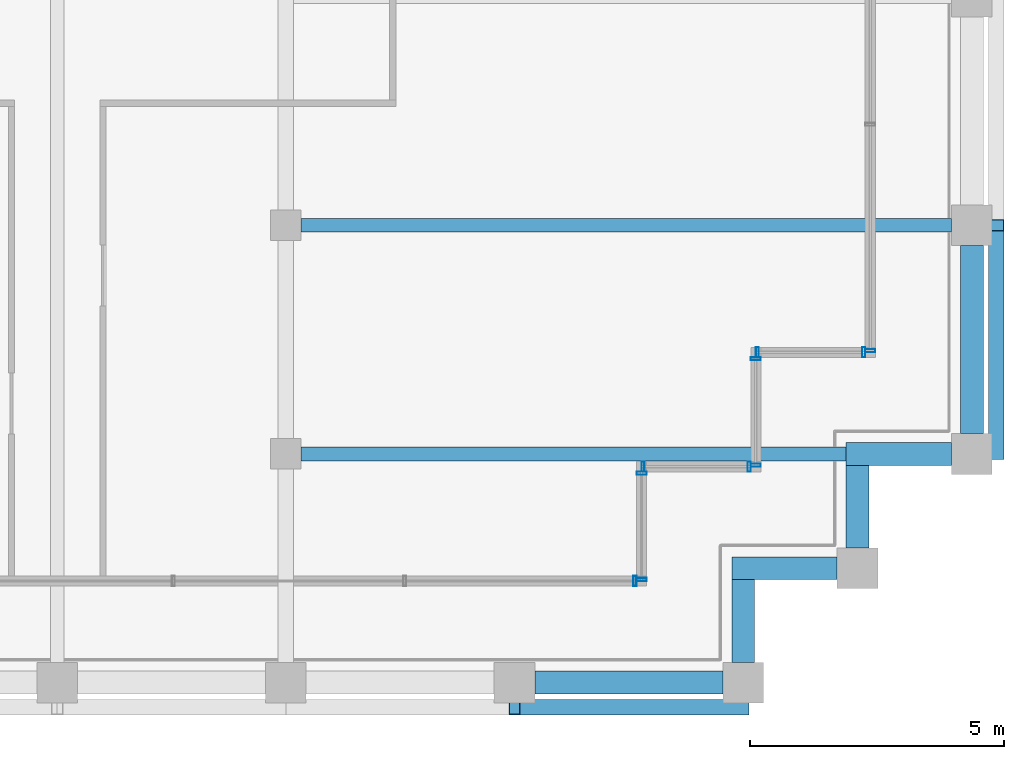
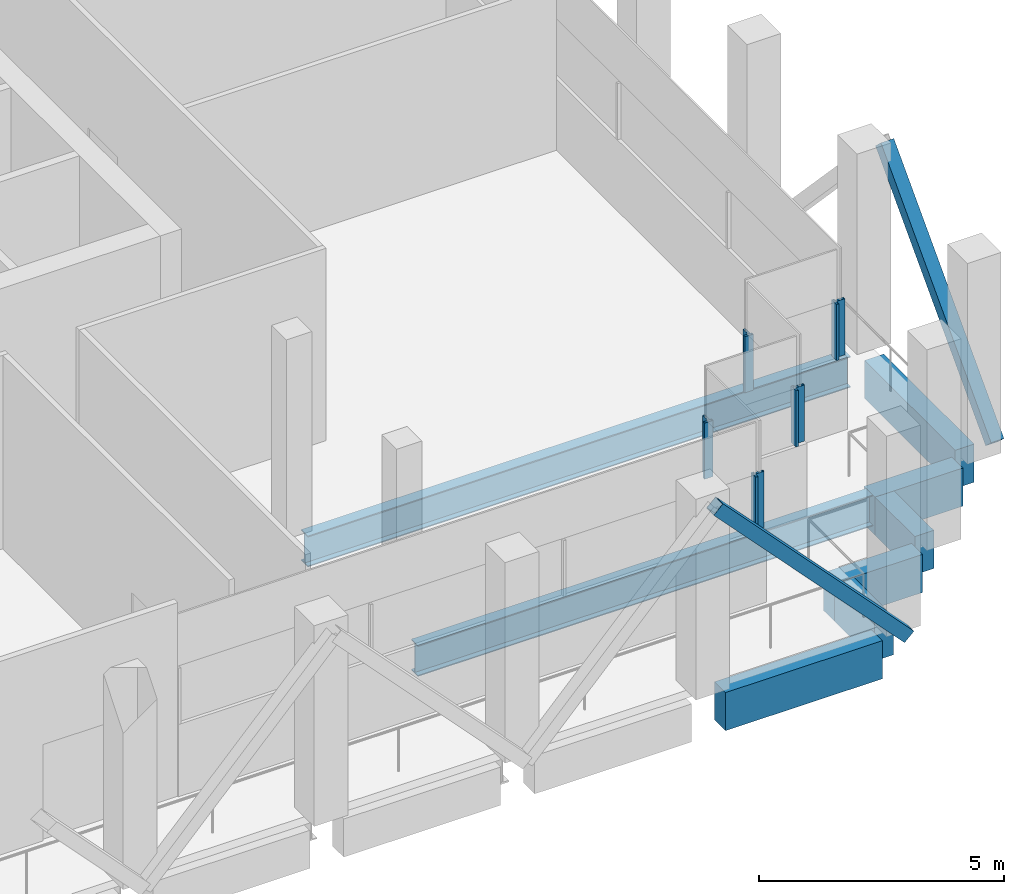
# One storey, part 8 of 21: 12 members, 8 beams, 6 elements without a shape of their own.
"""IFC4 building model written with IfcOpenShell, lengths in metres."""

from ifc_helpers import new_model, si_unit, direction, frame, origin, origin_2d, place, context, subcontext, project, spatial, rectangle, hollow_rectangle, i_section, extrude, material, material_profile, profile_set, type_object, element, aggregate, save


model = new_model("IFC4")

# Units and contexts
model_context = context("Model", 3, precision=1e-05, world=origin(), true_north=direction((0.0, 1.0)))
body_context = subcontext(model_context, "Body", "Model", "MODEL_VIEW")
ifc_project = project(units=[si_unit("LENGTHUNIT", "METRE"), si_unit("AREAUNIT", "SQUARE_METRE"), si_unit("VOLUMEUNIT", "CUBIC_METRE"), si_unit("PLANEANGLEUNIT", "RADIAN"), si_unit("MASSUNIT", "GRAM", prefix="KILO")], contexts=[model_context])

# Site, building, storey
site_placement = place(None, origin())
site = spatial("IfcSite", under=ifc_project, at=site_placement, CompositionType="ELEMENT")
building_placement = place(site_placement, origin())
building = spatial("IfcBuilding", under=site, at=building_placement, Name="Altepetl Exchange Towers", CompositionType="ELEMENT")
storey_placement = place(building_placement, frame((0.0, 0.0, 246.0)))
storey = spatial("IfcBuildingStorey", under=building, at=storey_placement, Name="L63 Refuge", CompositionType="ELEMENT", Elevation=246.0)

# Members
ifc_material_1 = material(Name="Steel S355", Category="steel")
ifc_material_profile_1 = material_profile(ifc_material_1, hollow_rectangle(XDim=0.304931640625, YDim=0.304931640625, WallThickness=0.01171875, at=origin_2d()), Name="HSS305X305X12.7")
ifc_profile_set_1 = profile_set([ifc_material_profile_1], Name="Steel S355")
member_type_1 = type_object("IfcMemberType", Name="Belt diagonal HSS305X305X12.7", PredefinedType="BRACE", material=ifc_profile_set_1)
for number, where, z_axis, x_axis, name in (
    (1, (63.0, 26.52001953125, 4.75), (0.687744647911, 0.0, -0.725952683906), (0.0, 1.0, 0.0), "brc:A:L63:007"),
    (2, (72.47998046875, 31.5, 0.0), (0.0, 0.687744647911, 0.725952683906), (-1.0, 0.0, 0.0), "brc:A:L63:008"),
):
    element("IfcMember", number, at=place(storey_placement, frame(where, z_axis=z_axis, x_axis=x_axis)), inside=storey, type_object=member_type_1, Name=name, PredefinedType="BRACE", context=body_context, shape_type="SweptSolid", body=[
        extrude(hollow_rectangle(XDim=0.304931640625, YDim=0.304931640625, WallThickness=0.01171875, at=origin_2d()), origin(), (0.0, 0.0, 1.0), 6.543212890625),
    ])

# Beams
ifc_material_profile_2 = material_profile(ifc_material_1, i_section(OverallWidth=0.26806640625, OverallDepth=0.77392578125, WebThickness=0.015380859375, FlangeThickness=0.025390625, at=origin_2d()), Name="W30X132")
ifc_profile_set_2 = profile_set([ifc_material_profile_2], Name="Steel S355")
beam_type_1 = type_object("IfcBeamType", Name="Floor beam W30X132", PredefinedType="BEAM", material=ifc_profile_set_2)
beam_1_placement = place(storey_placement, frame((58.800048828125, 31.5, -0.5869140625), z_axis=(1.0, 0.0, 0.0), x_axis=(0.0, 1.0, 0.0)))
element("IfcBeam", 3, at=beam_1_placement, inside=storey, type_object=beam_type_1, Name="bm:A:L63:006", PredefinedType="BEAM", context=body_context, shape_type="SweptSolid", body=[
    extrude(i_section(OverallWidth=0.26806640625, OverallDepth=0.77392578125, WebThickness=0.015380859375, FlangeThickness=0.025390625, at=origin_2d()), origin(), (0.0, 0.0, 1.0), 10.724853515625),
])
beam_2_placement = place(storey_placement, frame((58.800048828125, 36.0, -0.5869140625), z_axis=(1.0, 0.0, 0.0), x_axis=(0.0, 1.0, 0.0)))
element("IfcBeam", 4, at=beam_2_placement, inside=storey, type_object=beam_type_1, Name="bm:A:L63:007", PredefinedType="BEAM", context=body_context, shape_type="SweptSolid", body=[
    extrude(i_section(OverallWidth=0.26806640625, OverallDepth=0.77392578125, WebThickness=0.015380859375, FlangeThickness=0.025390625, at=origin_2d()), origin(), (0.0, 0.0, 1.0), 12.800048828125),
])

# Curtain wall, member
ifc_material_2 = material(Name="Aluminium 6063-T6 glazing", Category="aluminium")
curtain_wall_type = type_object("IfcCurtainWallType", Name="Refuge slit glazing system", PredefinedType="NOTDEFINED", material=ifc_material_2)
curtain_wall_1_placement = place(storey_placement, origin())
curtain_wall_1 = element("IfcCurtainWall", 5, at=curtain_wall_1_placement, inside=storey, type_object=curtain_wall_type, Name="CW3 run", PredefinedType="NOTDEFINED")
ifc_material_3 = material(Name="Aluminium 6063-T6", Category="aluminium")
ifc_material_profile_3 = material_profile(ifc_material_3, hollow_rectangle(XDim=0.06005859375, YDim=0.199951171875, WallThickness=0.0029296875, at=origin_2d()), Name="Mullion 60x200 aluminium")
ifc_profile_set_3 = profile_set([ifc_material_profile_3], Name="Aluminium 6063-T6")
member_type_2 = type_object("IfcMemberType", Name="Mullion 60x200 aluminium", PredefinedType="MULLION", material=ifc_profile_set_3)
member_1_placement = place(storey_placement, frame((65.3701171875, 29.0, 1.800048828125)))
member_1 = element("IfcMember", 6, at=member_1_placement, type_object=member_type_2, Name="MU2 mullion", PredefinedType="MULLION", context=body_context, shape_type="SweptSolid", body=[
    extrude(hollow_rectangle(XDim=0.06005859375, YDim=0.199951171875, WallThickness=0.0029296875, at=origin_2d()), origin(), (0.0, 0.0, 1.0), 1.39990234375),
])
aggregate(curtain_wall_1, [member_1])

# Curtain wall, members
curtain_wall_2_placement = place(storey_placement, origin())
curtain_wall_2 = element("IfcCurtainWall", 7, at=curtain_wall_2_placement, inside=storey, type_object=curtain_wall_type, Name="CW3 run", PredefinedType="NOTDEFINED")
member_2_placement = place(storey_placement, frame((65.5, 29.030029296875, 1.800048828125), z_axis=(0.0, 0.0, 1.0), x_axis=(0.0, 1.0, 0.0)))
member_2 = element("IfcMember", 8, at=member_2_placement, type_object=member_type_2, Name="MU2 mullion", PredefinedType="MULLION", context=body_context, shape_type="SweptSolid", body=[
    extrude(hollow_rectangle(XDim=0.06005859375, YDim=0.199951171875, WallThickness=0.0029296875, at=origin_2d()), origin(), (0.0, 0.0, 1.0), 1.39990234375),
])
member_3_placement = place(storey_placement, frame((65.5, 31.1201171875, 1.800048828125), z_axis=(0.0, 0.0, 1.0), x_axis=(0.0, 1.0, 0.0)))
member_3 = element("IfcMember", 9, at=member_3_placement, type_object=member_type_2, Name="MU2 mullion", PredefinedType="MULLION", context=body_context, shape_type="SweptSolid", body=[
    extrude(hollow_rectangle(XDim=0.06005859375, YDim=0.199951171875, WallThickness=0.0029296875, at=origin_2d()), origin(), (0.0, 0.0, 1.0), 1.39990234375),
])
aggregate(curtain_wall_2, [member_2, member_3])

curtain_wall_3_placement = place(storey_placement, origin())
curtain_wall_3 = element("IfcCurtainWall", 10, at=curtain_wall_3_placement, inside=storey, type_object=curtain_wall_type, Name="CW3 run", PredefinedType="NOTDEFINED")
member_4_placement = place(storey_placement, frame((65.530029296875, 31.25, 1.800048828125)))
member_4 = element("IfcMember", 11, at=member_4_placement, type_object=member_type_2, Name="MU2 mullion", PredefinedType="MULLION", context=body_context, shape_type="SweptSolid", body=[
    extrude(hollow_rectangle(XDim=0.06005859375, YDim=0.199951171875, WallThickness=0.0029296875, at=origin_2d()), origin(), (0.0, 0.0, 1.0), 1.39990234375),
])
member_5_placement = place(storey_placement, frame((67.6201171875, 31.25, 1.800048828125)))
member_5 = element("IfcMember", 12, at=member_5_placement, type_object=member_type_2, Name="MU2 mullion", PredefinedType="MULLION", context=body_context, shape_type="SweptSolid", body=[
    extrude(hollow_rectangle(XDim=0.06005859375, YDim=0.199951171875, WallThickness=0.0029296875, at=origin_2d()), origin(), (0.0, 0.0, 1.0), 1.39990234375),
])
aggregate(curtain_wall_3, [member_4, member_5])

curtain_wall_4_placement = place(storey_placement, origin())
curtain_wall_4 = element("IfcCurtainWall", 13, at=curtain_wall_4_placement, inside=storey, type_object=curtain_wall_type, Name="CW3 run", PredefinedType="NOTDEFINED")
member_6_placement = place(storey_placement, frame((67.75, 31.280029296875, 1.800048828125), z_axis=(0.0, 0.0, 1.0), x_axis=(0.0, 1.0, 0.0)))
member_6 = element("IfcMember", 14, at=member_6_placement, type_object=member_type_2, Name="MU2 mullion", PredefinedType="MULLION", context=body_context, shape_type="SweptSolid", body=[
    extrude(hollow_rectangle(XDim=0.06005859375, YDim=0.199951171875, WallThickness=0.0029296875, at=origin_2d()), origin(), (0.0, 0.0, 1.0), 1.39990234375),
])
member_7_placement = place(storey_placement, frame((67.75, 33.3701171875, 1.800048828125), z_axis=(0.0, 0.0, 1.0), x_axis=(0.0, 1.0, 0.0)))
member_7 = element("IfcMember", 15, at=member_7_placement, type_object=member_type_2, Name="MU2 mullion", PredefinedType="MULLION", context=body_context, shape_type="SweptSolid", body=[
    extrude(hollow_rectangle(XDim=0.06005859375, YDim=0.199951171875, WallThickness=0.0029296875, at=origin_2d()), origin(), (0.0, 0.0, 1.0), 1.39990234375),
])
aggregate(curtain_wall_4, [member_6, member_7])

curtain_wall_5_placement = place(storey_placement, origin())
curtain_wall_5 = element("IfcCurtainWall", 16, at=curtain_wall_5_placement, inside=storey, type_object=curtain_wall_type, Name="CW3 run", PredefinedType="NOTDEFINED")
member_8_placement = place(storey_placement, frame((67.780029296875, 33.5, 1.800048828125)))
member_8 = element("IfcMember", 17, at=member_8_placement, type_object=member_type_2, Name="MU2 mullion", PredefinedType="MULLION", context=body_context, shape_type="SweptSolid", body=[
    extrude(hollow_rectangle(XDim=0.06005859375, YDim=0.199951171875, WallThickness=0.0029296875, at=origin_2d()), origin(), (0.0, 0.0, 1.0), 1.39990234375),
])
member_9_placement = place(storey_placement, frame((69.8701171875, 33.5, 1.800048828125)))
member_9 = element("IfcMember", 18, at=member_9_placement, type_object=member_type_2, Name="MU2 mullion", PredefinedType="MULLION", context=body_context, shape_type="SweptSolid", body=[
    extrude(hollow_rectangle(XDim=0.06005859375, YDim=0.199951171875, WallThickness=0.0029296875, at=origin_2d()), origin(), (0.0, 0.0, 1.0), 1.39990234375),
])
aggregate(curtain_wall_5, [member_8, member_9])

# Curtain wall, member
curtain_wall_6_placement = place(storey_placement, origin())
curtain_wall_6 = element("IfcCurtainWall", 19, at=curtain_wall_6_placement, inside=storey, type_object=curtain_wall_type, Name="CW3 run", PredefinedType="NOTDEFINED")
member_10_placement = place(storey_placement, frame((70.0, 33.530029296875, 1.800048828125), z_axis=(0.0, 0.0, 1.0), x_axis=(0.0, 1.0, 0.0)))
member_10 = element("IfcMember", 20, at=member_10_placement, type_object=member_type_2, Name="MU2 mullion", PredefinedType="MULLION", context=body_context, shape_type="SweptSolid", body=[
    extrude(hollow_rectangle(XDim=0.06005859375, YDim=0.199951171875, WallThickness=0.0029296875, at=origin_2d()), origin(), (0.0, 0.0, 1.0), 1.39990234375),
])
aggregate(curtain_wall_6, [member_10])

# Beams
ifc_material_4 = material(Name="Concrete C50/60 precast with cantera amarilla facing", Category="concrete")
ifc_material_profile_4 = material_profile(ifc_material_4, rectangle(XDim=0.449951171875, YDim=0.949951171875, at=origin_2d()), Name="450 x 950")
ifc_profile_set_4 = profile_set([ifc_material_profile_4], Name="Concrete C50/60 precast with cantera amarilla facing")
beam_type_2 = type_object("IfcBeamType", Name="Spandrel beam 450x950 cantera amarilla", PredefinedType="SPANDREL", material=ifc_profile_set_4)
beam_3_placement = place(storey_placement, frame((63.39990234375, 27.0, -0.675048828125), z_axis=(1.0, 0.0, 0.0), x_axis=(0.0, 1.0, 0.0)))
element("IfcBeam", 21, at=beam_3_placement, inside=storey, type_object=beam_type_2, Name="sp:A:L63:007", PredefinedType="SPANDREL", context=body_context, shape_type="SweptSolid", body=[
    extrude(rectangle(XDim=0.449951171875, YDim=0.949951171875, at=origin_2d()), origin(), (0.0, 0.0, 1.0), 3.7001953125),
])
beam_4_placement = place(storey_placement, frame((67.5, 27.39990234375, -0.675048828125), z_axis=(0.0, 1.0, 0.0), x_axis=(-1.0, 0.0, 0.0)))
element("IfcBeam", 22, at=beam_4_placement, inside=storey, type_object=beam_type_2, Name="sp:A:L63:008", PredefinedType="SPANDREL", context=body_context, shape_type="SweptSolid", body=[
    extrude(rectangle(XDim=0.449951171875, YDim=0.949951171875, at=origin_2d()), origin(), (0.0, 0.0, 1.0), 1.625),
])
beam_5_placement = place(storey_placement, frame((67.27490234375, 29.25, -0.675048828125), z_axis=(1.0, 0.0, 0.0), x_axis=(0.0, 1.0, 0.0)))
element("IfcBeam", 23, at=beam_5_placement, inside=storey, type_object=beam_type_2, Name="sp:A:L63:009", PredefinedType="SPANDREL", context=body_context, shape_type="SweptSolid", body=[
    extrude(rectangle(XDim=0.449951171875, YDim=0.949951171875, at=origin_2d()), origin(), (0.0, 0.0, 1.0), 2.0751953125),
])
beam_6_placement = place(storey_placement, frame((69.75, 29.64990234375, -0.675048828125), z_axis=(0.0, 1.0, 0.0), x_axis=(-1.0, 0.0, 0.0)))
element("IfcBeam", 24, at=beam_6_placement, inside=storey, type_object=beam_type_2, Name="sp:A:L63:010", PredefinedType="SPANDREL", context=body_context, shape_type="SweptSolid", body=[
    extrude(rectangle(XDim=0.449951171875, YDim=0.949951171875, at=origin_2d()), origin(), (0.0, 0.0, 1.0), 1.625),
])
beam_7_placement = place(storey_placement, frame((69.52490234375, 31.5, -0.675048828125), z_axis=(1.0, 0.0, 0.0), x_axis=(0.0, 1.0, 0.0)))
element("IfcBeam", 25, at=beam_7_placement, inside=storey, type_object=beam_type_2, Name="sp:A:L63:011", PredefinedType="SPANDREL", context=body_context, shape_type="SweptSolid", body=[
    extrude(rectangle(XDim=0.449951171875, YDim=0.949951171875, at=origin_2d()), origin(), (0.0, 0.0, 1.0), 2.0751953125),
])
beam_8_placement = place(storey_placement, frame((72.0, 31.89990234375, -0.675048828125), z_axis=(0.0, 1.0, 0.0), x_axis=(-1.0, 0.0, 0.0)))
element("IfcBeam", 26, at=beam_8_placement, inside=storey, type_object=beam_type_2, Name="sp:A:L63:012", PredefinedType="SPANDREL", context=body_context, shape_type="SweptSolid", body=[
    extrude(rectangle(XDim=0.449951171875, YDim=0.949951171875, at=origin_2d()), origin(), (0.0, 0.0, 1.0), 3.7001953125),
])

save(model, "model.ifc")
